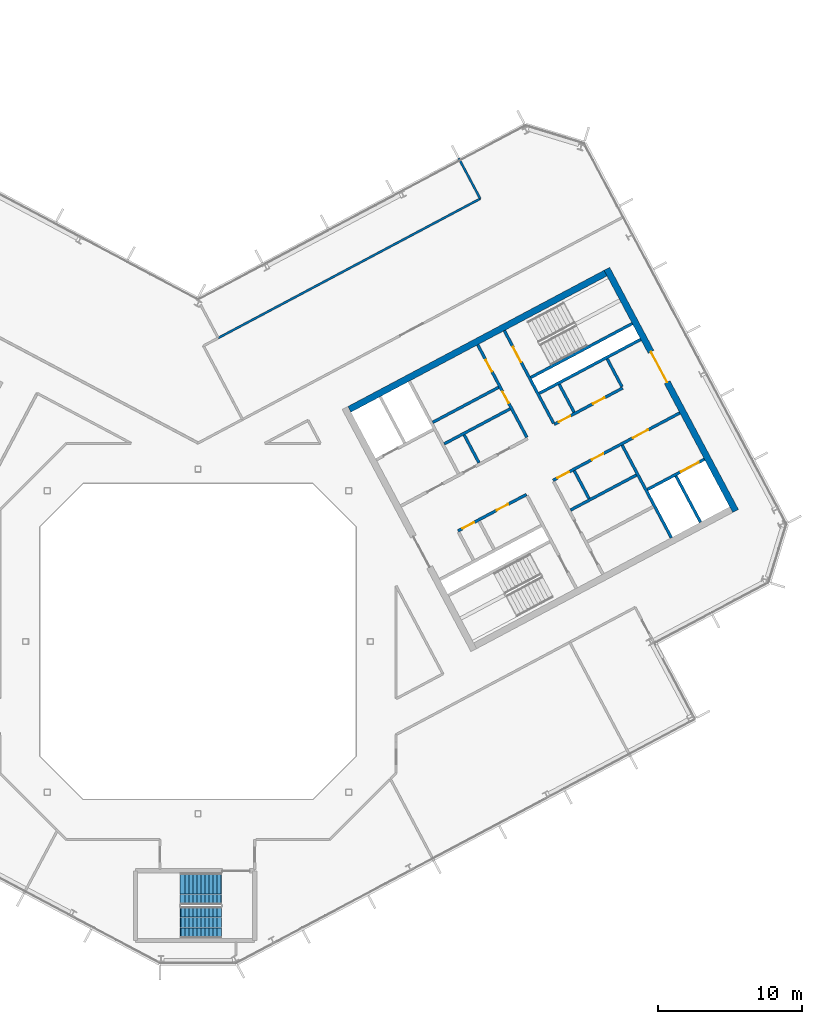
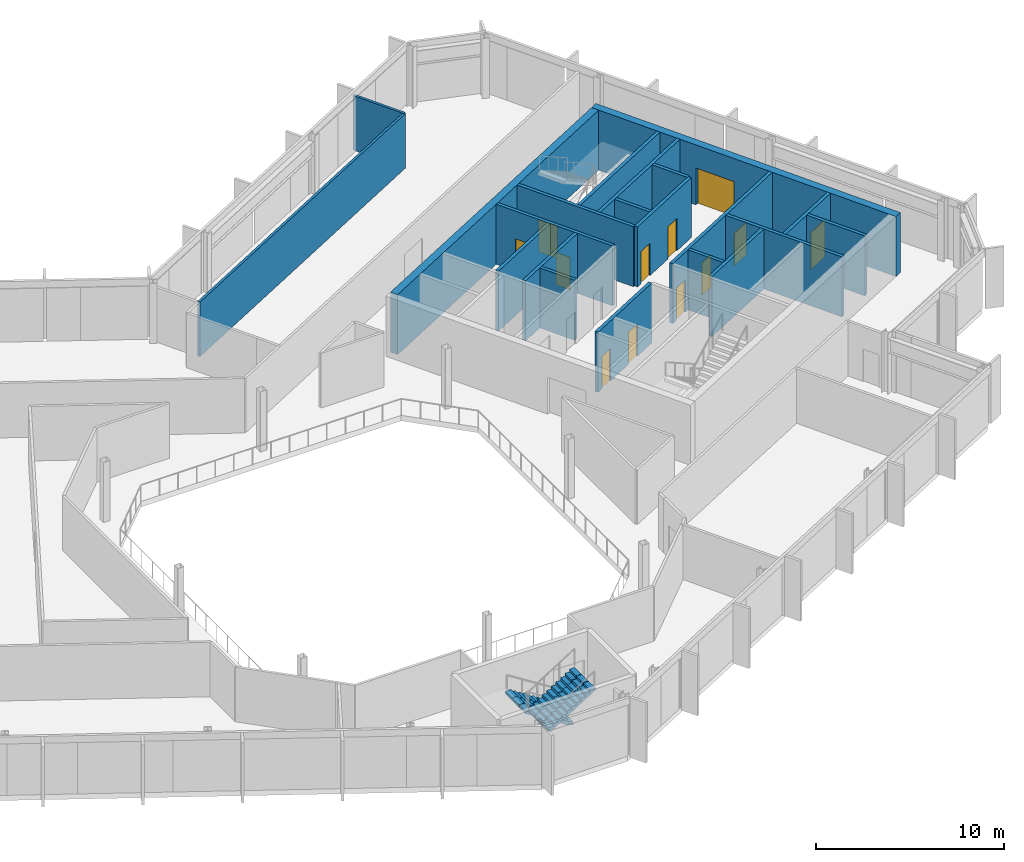
# One storey, part 16 of 25: 21 walls, 12 doors, 2 stair flights, 12 openings, 1 element without a shape of its own.
"""IFC4 building model written with IfcOpenShell, lengths in metres."""

import ifcopenshell
import ifcopenshell.guid

model = None  # the IFC model being written
_history = None  # IfcOwnerHistory: only IFC2X3 demands one
_inside = {}  # id of a spatial element -> (the spatial element, [elements in it])
_under = {}  # id of a project, library or spatial element -> (it, [spatial elements below it])
_declared = {}  # id of a project -> (the project, [libraries it declares])
_typed = {}  # id of a type object -> (the type object, [elements of that type])
_made_of = {}  # id of a material, layer set ... -> (it, [elements and type objects made of it])


def new_model(schema):
    """Start an empty IFC model of exactly this schema.

    Asked for "IFC4X3", IfcOpenShell would pick the latest addendum, in which some entities
    have other attributes; the version numbers below select the first issue.
    IFC2X3 requires an IfcOwnerHistory on every rooted entity: one is made here for all.
    """
    global model, _history
    if schema == "IFC4X3":
        model = ifcopenshell.file(schema_version=(4, 3, 0, 0))
    else:
        model = ifcopenshell.file(schema=schema)
    _inside.clear()
    _under.clear()
    _declared.clear()
    _typed.clear()
    _made_of.clear()
    _history = None
    if model.schema == "IFC2X3":
        org = make("IfcOrganization", Name="unknown")
        user = make(
            "IfcPersonAndOrganization",
            ThePerson=make("IfcPerson", FamilyName="unknown"),
            TheOrganization=org,
        )
        app = make(
            "IfcApplication",
            ApplicationDeveloper=org,
            Version="unknown",
            ApplicationFullName="unknown",
            ApplicationIdentifier="unknown",
        )
        _history = make(
            "IfcOwnerHistory",
            OwningUser=user,
            OwningApplication=app,
            ChangeAction="ADDED",
            CreationDate=0,
        )
    return model


def make(cls, **values):
    """One entity of the class cls with the attributes given. An attribute that is None is left unset."""
    return model.create_entity(
        cls, **{name: value for name, value in values.items() if value is not None}
    )


def rooted(cls, **values):
    """An entity with a GlobalId (a new one), such as an element, a storey or a relation."""
    return make(cls, GlobalId=ifcopenshell.guid.new(), OwnerHistory=_history, **values)


def si_unit(unit_type, name, prefix=None):
    """IfcSIUnit, for example si_unit("LENGTHUNIT", "METRE", prefix="MILLI")."""
    return make("IfcSIUnit", UnitType=unit_type, Prefix=prefix, Name=name)


def assignment(units):
    """IfcUnitAssignment: the units of a project."""
    return None if units is None else make("IfcUnitAssignment", Units=units)


def point(xyz):
    """IfcCartesianPoint."""
    return None if xyz is None else make("IfcCartesianPoint", Coordinates=xyz)


def direction(xyz):
    """IfcDirection."""
    return None if xyz is None else make("IfcDirection", DirectionRatios=xyz)


def frame(location, z_axis=None, x_axis=None):
    """IfcAxis2Placement3D, a coordinate frame: its origin and axes. An axis left out is left unset."""
    return make(
        "IfcAxis2Placement3D",
        Location=point(location),
        Axis=direction(z_axis),
        RefDirection=direction(x_axis),
    )


def frame_2d(location, x_axis=None):
    """IfcAxis2Placement2D, a coordinate frame in the plane: its origin and x axis."""
    return make(
        "IfcAxis2Placement2D", Location=point(location), RefDirection=direction(x_axis)
    )


def origin():
    """The frame at (0, 0, 0) with its axes left unset."""
    return frame((0.0, 0.0, 0.0))


def place(relative_to, where):
    """IfcLocalPlacement: puts the frame where relative to a parent placement (None: the world)."""
    return make(
        "IfcLocalPlacement", PlacementRelTo=relative_to, RelativePlacement=where
    )


def context(
    kind, dimensions, precision=None, world=None, true_north=None, identifier=None
):
    """IfcGeometricRepresentationContext, for example the 3D "Model" context."""
    return make(
        "IfcGeometricRepresentationContext",
        ContextIdentifier=identifier,
        ContextType=kind,
        CoordinateSpaceDimension=dimensions,
        Precision=precision,
        WorldCoordinateSystem=world,
        TrueNorth=true_north,
    )


def subcontext(parent, identifier, kind, view, scale=None):
    """IfcGeometricRepresentationSubContext, for example "Body" below "Model"."""
    return make(
        "IfcGeometricRepresentationSubContext",
        ContextIdentifier=identifier,
        ContextType=kind,
        ParentContext=parent,
        TargetScale=scale,
        TargetView=view,
    )


def project(units=None, contexts=None):
    """IfcProject with its units and contexts."""
    return rooted(
        "IfcProject",
        Name="project",
        RepresentationContexts=contexts,
        UnitsInContext=assignment(units),
    )


def spatial(cls, under=None, at=None, **own):
    """A site, building, storey or space (cls), placed at a placement, below another one or the project."""
    s = rooted(cls, ObjectPlacement=at, **own)
    if under is not None:
        _under.setdefault(under.id(), (under, []))[1].append(s)
    return s


def polyline(points):
    """IfcPolyline through the points."""
    return make("IfcPolyline", Points=[point(p) for p in points])


def profile(cls, at=None, kind="AREA", **sizes):
    """A parametric profile (cls). Its sizes go by their IFC names, for example OverallWidth=200.0."""
    return make(cls, ProfileType=kind, Position=at, **sizes)


def rectangle(**sizes):
    """IfcRectangleProfileDef."""
    return profile("IfcRectangleProfileDef", **sizes)


def outline(outer, holes=None, kind="AREA"):
    """IfcArbitraryClosedProfileDef: a profile drawn as a closed curve; with holes, ...WithVoids."""
    if holes is None:
        return make("IfcArbitraryClosedProfileDef", ProfileType=kind, OuterCurve=outer)
    return make(
        "IfcArbitraryProfileDefWithVoids",
        ProfileType=kind,
        OuterCurve=outer,
        InnerCurves=holes,
    )


def extrude(swept, where, along, depth):
    """IfcExtrudedAreaSolid: the profile swept, set in the frame where, extruded along a direction by depth."""
    return make(
        "IfcExtrudedAreaSolid",
        SweptArea=swept,
        Position=where,
        ExtrudedDirection=direction(along),
        Depth=depth,
    )


def shape(context_of_items, identifier, shape_type, items):
    """IfcShapeRepresentation: the items that make up one representation, for example the "Body"."""
    return make(
        "IfcShapeRepresentation",
        ContextOfItems=context_of_items,
        RepresentationIdentifier=identifier,
        RepresentationType=shape_type,
        Items=items,
    )


def material(Name=None, Category=None):
    """IfcMaterial."""
    return make("IfcMaterial", Name=Name, Category=Category)


def layer(
    of_material, thickness, ventilated=None, Name=None, Category=None, Priority=None
):
    """IfcMaterialLayer: one layer of a wall or slab, of a material (None: an air gap)."""
    return make(
        "IfcMaterialLayer",
        Material=of_material,
        LayerThickness=thickness,
        IsVentilated=ventilated,
        Name=Name,
        Category=Category,
        Priority=Priority,
    )


def layer_set(layers, Name=None):
    """IfcMaterialLayerSet."""
    return make("IfcMaterialLayerSet", MaterialLayers=layers, LayerSetName=Name)


def made_of(thing, what):
    """Note that an element or type object is made of a material, layer set ...; save() writes the relation."""
    if what is not None:
        _made_of.setdefault(what.id(), (what, []))[1].append(thing)
    return thing


def type_object(cls, material=None, **own):
    """A type object (cls), such as IfcWallType, which elements share."""
    return made_of(rooted(cls, **own), material)


def element(
    cls,
    number,
    at=None,
    inside=None,
    cuts=None,
    type_object=None,
    material=None,
    context=None,
    identifier="Body",
    shape_type=None,
    held_by="IfcProductDefinitionShape",
    body=None,
    shapes=None,
    **own,
):
    """One element of the class cls, such as IfcWall. Its Tag is "e" and its number.

    at: its placement. inside: the storey or other place that contains it. cuts: it is an
    opening in that element (IfcRelVoidsElement). A single representation is given by context,
    identifier, shape_type and body (its items); several are given by shapes. held_by: the class
    of the entity that holds the representations. save() writes the other relations.
    """
    e = rooted(cls, Tag="e%d" % number, ObjectPlacement=at, **own)
    if body is not None:
        shapes = [shape(context, identifier, shape_type, body)]
    if shapes is not None:
        e.Representation = make(held_by, Representations=shapes)
    if inside is not None:
        _inside.setdefault(inside.id(), (inside, []))[1].append(e)
    if cuts is not None:
        rooted(
            "IfcRelVoidsElement", RelatingBuildingElement=cuts, RelatedOpeningElement=e
        )
    if type_object is not None:
        _typed.setdefault(type_object.id(), (type_object, []))[1].append(e)
    return made_of(e, material)


def fill(opening, filler):
    """IfcRelFillsElement: the door or window that sits in an opening."""
    return rooted(
        "IfcRelFillsElement",
        RelatingOpeningElement=opening,
        RelatedBuildingElement=filler,
    )


def aggregate(whole, parts):
    """IfcRelAggregates: a whole, such as a stair, and the parts it consists of."""
    return rooted("IfcRelAggregates", RelatingObject=whole, RelatedObjects=parts)


def save(model, path):
    """Write the relations noted so far, then the file.

    IfcRelAggregates (storeys below a building ...), IfcRelContainedInSpatialStructure (elements
    in a storey), IfcRelDefinesByType, IfcRelAssociatesMaterial and IfcRelDeclares: one each for
    every whole, place, type object, material and project.
    """
    for whole, parts in _under.values():
        aggregate(whole, parts)
    for where, things in _inside.values():
        rooted(
            "IfcRelContainedInSpatialStructure",
            RelatedElements=things,
            RelatingStructure=where,
        )
    for kind, things in _typed.values():
        rooted("IfcRelDefinesByType", RelatedObjects=things, RelatingType=kind)
    for what, things in _made_of.values():
        rooted("IfcRelAssociatesMaterial", RelatedObjects=things, RelatingMaterial=what)
    for by, libraries in _declared.values():
        rooted("IfcRelDeclares", RelatingContext=by, RelatedDefinitions=libraries)
    model.write(path)


model = new_model("IFC4")

# Units and contexts
model_context = context("Model", 3, precision=1e-05, world=origin(), true_north=direction((0.0, 1.0)))
body_context = subcontext(model_context, "Body", "Model", "MODEL_VIEW")
ifc_project = project(units=[si_unit("LENGTHUNIT", "METRE"), si_unit("AREAUNIT", "SQUARE_METRE"), si_unit("VOLUMEUNIT", "CUBIC_METRE"), si_unit("PLANEANGLEUNIT", "RADIAN"), si_unit("MASSUNIT", "GRAM", prefix="KILO")], contexts=[model_context])

# Site, building, storey
site_placement = place(None, origin())
site = spatial("IfcSite", under=ifc_project, at=site_placement, CompositionType="ELEMENT")
building_placement = place(site_placement, origin())
building = spatial("IfcBuilding", under=site, at=building_placement, Name="Cormorant Relay Tower", CompositionType="ELEMENT")
storey_placement = place(building_placement, frame((0.0, 0.0, 281.39990234375)))
storey = spatial("IfcBuildingStorey", under=building, at=storey_placement, Name="L63", CompositionType="ELEMENT", Elevation=281.39990234375)

# Walls
ifc_material_1 = material(Name="Concrete 40 MPa", Category="concrete")
ifc_layer_1 = layer(ifc_material_1, 0.199951171875)
ifc_layer_set_1 = layer_set([ifc_layer_1], Name="Core internal wall 200")
wall_type_1 = type_object("IfcWallType", Name="Core internal wall 200", PredefinedType="SOLIDWALL", material=ifc_layer_set_1)
for number, where, z_axis, x_axis, name in (
    (1, (19.568603515625, 12.443603515625, 0.0), (0.0, 0.0, 1.0), (-0.4694473164, 0.882960484464, 0.0), "L63 core B shaft and room wall"),
    (2, (27.236083984375, 9.951416015625, 0.0), (0.0, 0.0, 1.0), (-0.4694473164, 0.882960484464, 0.0), "L63 core B shaft and room wall"),
    (3, (26.19091796875, 15.964599609375, 0.0), (0.0, 0.0, 1.0), (-0.469533832133, 0.882914480843, 0.0), "L63 core B shaft and room wall"),
):
    element("IfcWall", number, at=place(storey_placement, frame(where, z_axis=z_axis, x_axis=x_axis)), inside=storey, type_object=wall_type_1, Name=name, PredefinedType="SOLIDWALL", context=body_context, shape_type="SweptSolid", body=[
        extrude(rectangle(XDim=2.199951171875, YDim=0.199951171875, at=frame_2d((1.10009765625, 0.0))), origin(), (0.0, 0.0, 1.0), 3.900146484375),
    ])
wall_1_placement = place(storey_placement, frame((16.3486328125, 15.26171875, 0.0), z_axis=(0.0, 0.0, 1.0), x_axis=(0.882953967957, 0.469459572775, 0.0)))
element("IfcWall", 4, at=wall_1_placement, inside=storey, type_object=wall_type_1, Name="L63 core B shaft and room wall", PredefinedType="SOLIDWALL", context=body_context, shape_type="SweptSolid", body=[
    extrude(rectangle(XDim=5.199951171875, YDim=0.199951171875, at=frame_2d((2.60009765625, 0.0))), origin(), (0.0, 0.0, 1.0), 3.900146484375),
])

# Wall, openings, doors
ifc_material_2 = material(Name="Concrete 50 MPa", Category="concrete")
ifc_layer_2 = layer(ifc_material_2, 0.199951171875)
ifc_layer_set_2 = layer_set([ifc_layer_2], Name="Core shaft wall 200")
wall_type_2 = type_object("IfcWallType", Name="Core shaft wall 200", PredefinedType="SHEAR", material=ifc_layer_set_2)
wall_2_placement = place(storey_placement, frame((22.90625, 14.218017578125, 0.0), z_axis=(0.0, 0.0, 1.0), x_axis=(-0.469480409012, 0.88294288918, 0.0)))
wall_2 = element("IfcWall", 5, at=wall_2_placement, inside=storey, type_object=wall_type_2, Name="L63 core B shaft wall", PredefinedType="SHEAR", context=body_context, shape_type="SweptSolid", body=[
    extrude(rectangle(XDim=7.300048828125, YDim=0.199951171875, at=frame_2d((3.64990234375, 0.0))), origin(), (0.0, 0.0, 1.0), 3.900146484375),
])
opening_1_placement = place(wall_2_placement, frame((2.699951171875, 0.0, 0.0)))
opening_1 = element("IfcOpeningElement", 6, at=opening_1_placement, cuts=wall_2, Name="Opening CDD-326", PredefinedType="OPENING", context=body_context, shape_type="SweptSolid", body=[
    extrude(rectangle(XDim=0.89990234375, YDim=2.10009765625, at=frame_2d((0.449951171875, 1.050048828125))), frame((0.0, 0.10986328125, 0.0), z_axis=(0.0, -1.0, 0.0), x_axis=(1.0, 0.0, 0.0)), (0.0, 0.0, 1.0), 0.219970703125),
])
opening_2_placement = place(wall_2_placement, frame((5.199951171875, 0.0, 0.0)))
opening_2 = element("IfcOpeningElement", 7, at=opening_2_placement, cuts=wall_2, Name="Opening CDD-327", PredefinedType="OPENING", context=body_context, shape_type="SweptSolid", body=[
    extrude(rectangle(XDim=0.89990234375, YDim=2.10009765625, at=frame_2d((0.449951171875, 1.050048828125))), frame((0.0, 0.10986328125, 0.0), z_axis=(0.0, -1.0, 0.0), x_axis=(1.0, 0.0, 0.0)), (0.0, 0.0, 1.0), 0.219970703125),
])
ifc_material_3 = material(Name="Steel fire door", Category="steel")
door_type_1 = type_object("IfcDoorType", Name="Core room door 900x2100", OperationType="SINGLE_SWING_LEFT", PredefinedType="DOOR", material=ifc_material_3)
door_1_placement = place(opening_1_placement, frame((0.89990234375, 0.0, 0.0), z_axis=(0.0, 0.0, 1.0), x_axis=(-1.0, 0.0, 0.0)))
door_1 = element("IfcDoor", 8, at=door_1_placement, inside=storey, type_object=door_type_1, Name="Core room door 900x2100", OperationType="SINGLE_SWING_LEFT", OverallHeight=2.10009765625, OverallWidth=0.89990234375, PredefinedType="DOOR", context=body_context, shape_type="SweptSolid", body=[
    extrude(rectangle(XDim=0.89990234375, YDim=2.10009765625, at=frame_2d((0.449951171875, 1.050048828125))), frame((0.0, 0.02490234375, 0.0), z_axis=(0.0, -1.0, 0.0), x_axis=(1.0, 0.0, 0.0)), (0.0, 0.0, 1.0), 0.050048828125),
])
fill(opening_1, door_1)
door_2_placement = place(opening_2_placement, frame((0.89990234375, 0.0, 0.0), z_axis=(0.0, 0.0, 1.0), x_axis=(-1.0, 0.0, 0.0)))
door_2 = element("IfcDoor", 9, at=door_2_placement, inside=storey, type_object=door_type_1, Name="Core room door 900x2100", OperationType="SINGLE_SWING_LEFT", OverallHeight=2.10009765625, OverallWidth=0.89990234375, PredefinedType="DOOR", context=body_context, shape_type="SweptSolid", body=[
    extrude(rectangle(XDim=0.89990234375, YDim=2.10009765625, at=frame_2d((0.449951171875, 1.050048828125))), frame((0.0, 0.02490234375, 0.0), z_axis=(0.0, -1.0, 0.0), x_axis=(1.0, 0.0, 0.0)), (0.0, 0.0, 1.0), 0.050048828125),
])
fill(opening_2, door_2)

# Wall, opening, door
wall_3_placement = place(storey_placement, frame((24.760498046875, 15.2041015625, 0.0), z_axis=(0.0, 0.0, 1.0), x_axis=(-0.469494272526, 0.882935517501, 0.0)))
wall_3 = element("IfcWall", 10, at=wall_3_placement, inside=storey, type_object=wall_type_2, Name="L63 core B shaft wall", PredefinedType="SHEAR", context=body_context, shape_type="SweptSolid", body=[
    extrude(rectangle(XDim=7.2998046875, YDim=0.199951171875, at=frame_2d((3.64990234375, 0.0))), origin(), (0.0, 0.0, 1.0), 3.900146484375),
])
opening_3_placement = place(wall_3_placement, frame((4.800048828125, 0.0, 0.0)))
opening_3 = element("IfcOpeningElement", 11, at=opening_3_placement, cuts=wall_3, Name="Opening CDB-041", PredefinedType="OPENING", context=body_context, shape_type="SweptSolid", body=[
    extrude(rectangle(XDim=1.199951171875, YDim=2.10009765625, at=frame_2d((0.60009765625, 1.050048828125))), frame((0.0, 0.10986328125, 0.0), z_axis=(0.0, -1.0, 0.0), x_axis=(1.0, 0.0, 0.0)), (0.0, 0.0, 1.0), 0.219970703125),
])
ifc_material_4 = material(Name="Steel fire door", Category="steel")
door_type_2 = type_object("IfcDoorType", Name="Core stair door 1200x2100", OperationType="SINGLE_SWING_LEFT", PredefinedType="DOOR", material=ifc_material_4)
door_3_placement = place(opening_3_placement, frame((1.199951171875, 0.0, 0.0), z_axis=(0.0, 0.0, 1.0), x_axis=(-1.0, 0.0, 0.0)))
door_3 = element("IfcDoor", 12, at=door_3_placement, inside=storey, type_object=door_type_2, Name="Core stair door 1200x2100", OperationType="SINGLE_SWING_RIGHT", OverallHeight=2.10009765625, OverallWidth=1.199951171875, PredefinedType="DOOR", context=body_context, shape_type="SweptSolid", body=[
    extrude(rectangle(XDim=1.199951171875, YDim=2.10009765625, at=frame_2d((0.60009765625, 1.050048828125))), frame((0.0, 0.02490234375, 0.0), z_axis=(0.0, -1.0, 0.0), x_axis=(1.0, 0.0, 0.0)), (0.0, 0.0, 1.0), 0.050048828125),
])
fill(opening_3, door_3)

# Walls
wall_4_placement = place(storey_placement, frame((32.968017578125, 7.222900390625, 0.0), z_axis=(0.0, 0.0, 1.0), x_axis=(-0.469480409012, 0.88294288918, 0.0)))
element("IfcWall", 13, at=wall_4_placement, inside=storey, type_object=wall_type_2, Name="L63 core B shaft wall", PredefinedType="SHEAR", context=body_context, shape_type="SweptSolid", body=[
    extrude(rectangle(XDim=7.300048828125, YDim=0.199951171875, at=frame_2d((3.64990234375, 0.0))), origin(), (0.0, 0.0, 1.0), 3.900146484375),
])
wall_5_placement = place(storey_placement, frame((29.5283203125, 17.739013671875, 0.0), z_axis=(0.0, 0.0, 1.0), x_axis=(-0.469401318492, 0.882984938828, 0.0)))
element("IfcWall", 14, at=wall_5_placement, inside=storey, type_object=wall_type_2, Name="L63 core B shaft wall", PredefinedType="SHEAR", context=body_context, shape_type="SweptSolid", body=[
    extrude(rectangle(XDim=2.199951171875, YDim=0.199951171875, at=frame_2d((1.10009765625, 0.0))), origin(), (0.0, 0.0, 1.0), 3.900146484375),
])
wall_6_placement = place(storey_placement, frame((34.998779296875, 8.302734375, 0.0), z_axis=(0.0, 0.0, 1.0), x_axis=(-0.4694665462, 0.882950260207, 0.0)))
element("IfcWall", 15, at=wall_6_placement, inside=storey, type_object=wall_type_2, Name="L63 core B shaft wall", PredefinedType="SHEAR", context=body_context, shape_type="SweptSolid", body=[
    extrude(rectangle(XDim=3.650146484375, YDim=0.199951171875, at=frame_2d((1.8251953125, 0.0))), origin(), (0.0, 0.0, 1.0), 3.900146484375),
])

# Wall, opening, door
wall_7_placement = place(storey_placement, frame((31.295654296875, 10.5810546875, 0.0), z_axis=(0.0, 0.0, 1.0), x_axis=(0.882960433586, 0.469447412093, 0.0)))
wall_7 = element("IfcWall", 16, at=wall_7_placement, inside=storey, type_object=wall_type_2, Name="L63 core B shaft wall", PredefinedType="SHEAR", context=body_context, shape_type="SweptSolid", body=[
    extrude(rectangle(XDim=4.5, YDim=0.199951171875, at=frame_2d((2.25, 0.0))), origin(), (0.0, 0.0, 1.0), 3.900146484375),
])
opening_4_placement = place(wall_7_placement, frame((2.64990234375, 0.0, 0.0)))
opening_4 = element("IfcOpeningElement", 17, at=opening_4_placement, cuts=wall_7, Name="Opening LD3-016", PredefinedType="OPENING", context=body_context, shape_type="SweptSolid", body=[
    extrude(rectangle(XDim=1.39990234375, YDim=2.39990234375, at=frame_2d((0.699951171875, 1.199951171875))), frame((0.0, 0.10986328125, 0.0), z_axis=(0.0, -1.0, 0.0), x_axis=(1.0, 0.0, 0.0)), (0.0, 0.0, 1.0), 0.219970703125),
])
ifc_material_5 = material(Name="Stainless steel 316", Category="steel")
door_type_3 = type_object("IfcDoorType", Name="Lift landing door 1400x2400", OperationType="DOUBLE_DOOR_SLIDING", PredefinedType="DOOR", material=ifc_material_5)
door_4_placement = place(opening_4_placement, origin())
door_4 = element("IfcDoor", 18, at=door_4_placement, inside=storey, type_object=door_type_3, Name="SV2 landing door", OperationType="DOUBLE_DOOR_SLIDING", OverallHeight=2.39990234375, OverallWidth=1.39990234375, PredefinedType="DOOR", context=body_context, shape_type="SweptSolid", body=[
    extrude(rectangle(XDim=1.39990234375, YDim=2.39990234375, at=frame_2d((0.699951171875, 1.199951171875))), frame((0.0, 0.02490234375, 0.0), z_axis=(0.0, -1.0, 0.0), x_axis=(1.0, 0.0, 0.0)), (0.0, 0.0, 1.0), 0.050048828125),
])
fill(opening_4, door_4)

# Wall
wall_8_placement = place(storey_placement, frame((25.94091796875, 9.149658203125, 0.0), z_axis=(0.0, 0.0, 1.0), x_axis=(0.882953967957, 0.469459572775, 0.0)))
element("IfcWall", 19, at=wall_8_placement, inside=storey, type_object=wall_type_2, Name="L63 core B shaft wall", PredefinedType="SHEAR", context=body_context, shape_type="SweptSolid", body=[
    extrude(rectangle(XDim=5.199951171875, YDim=0.199951171875, at=frame_2d((2.60009765625, 0.0))), origin(), (0.0, 0.0, 1.0), 3.900146484375),
])

# Wall, openings, doors
wall_9_placement = place(storey_placement, frame((18.103759765625, 7.70068359375, 0.0), z_axis=(0.0, 0.0, 1.0), x_axis=(0.882952937579, 0.469461510692, 0.0)))
wall_9 = element("IfcWall", 20, at=wall_9_placement, inside=storey, type_object=wall_type_2, Name="L63 core B shaft wall", PredefinedType="SHEAR", context=body_context, shape_type="SweptSolid", body=[
    extrude(rectangle(XDim=5.400146484375, YDim=0.199951171875, at=frame_2d((2.7001953125, 0.0))), origin(), (0.0, 0.0, 1.0), 3.900146484375),
])
opening_5_placement = place(wall_9_placement, frame((0.360107421875, 0.0, 0.0)))
opening_5 = element("IfcOpeningElement", 21, at=opening_5_placement, cuts=wall_9, Name="Opening CDD-245", PredefinedType="OPENING", context=body_context, shape_type="SweptSolid", body=[
    extrude(rectangle(XDim=0.89990234375, YDim=2.10009765625, at=frame_2d((0.449951171875, 1.050048828125))), frame((0.0, 0.10986328125, 0.0), z_axis=(0.0, -1.0, 0.0), x_axis=(1.0, 0.0, 0.0)), (0.0, 0.0, 1.0), 0.219970703125),
])
opening_6_placement = place(wall_9_placement, frame((3.06005859375, 0.0, 0.0)))
opening_6 = element("IfcOpeningElement", 22, at=opening_6_placement, cuts=wall_9, Name="Opening CDD-246", PredefinedType="OPENING", context=body_context, shape_type="SweptSolid", body=[
    extrude(rectangle(XDim=0.89990234375, YDim=2.10009765625, at=frame_2d((0.449951171875, 1.050048828125))), frame((0.0, 0.10986328125, 0.0), z_axis=(0.0, -1.0, 0.0), x_axis=(1.0, 0.0, 0.0)), (0.0, 0.0, 1.0), 0.219970703125),
])
door_5_placement = place(opening_5_placement, frame((0.89990234375, 0.0, 0.0), z_axis=(0.0, 0.0, 1.0), x_axis=(-1.0, 0.0, 0.0)))
door_5 = element("IfcDoor", 23, at=door_5_placement, inside=storey, type_object=door_type_1, Name="Core room door 900x2100", OperationType="SINGLE_SWING_RIGHT", OverallHeight=2.10009765625, OverallWidth=0.89990234375, PredefinedType="DOOR", context=body_context, shape_type="SweptSolid", body=[
    extrude(rectangle(XDim=0.89990234375, YDim=2.10009765625, at=frame_2d((0.449951171875, 1.050048828125))), frame((0.0, 0.02490234375, 0.0), z_axis=(0.0, -1.0, 0.0), x_axis=(1.0, 0.0, 0.0)), (0.0, 0.0, 1.0), 0.050048828125),
])
fill(opening_5, door_5)
door_6_placement = place(opening_6_placement, frame((0.89990234375, 0.0, 0.0), z_axis=(0.0, 0.0, 1.0), x_axis=(-1.0, 0.0, 0.0)))
door_6 = element("IfcDoor", 24, at=door_6_placement, inside=storey, type_object=door_type_1, Name="Core room door 900x2100", OperationType="SINGLE_SWING_RIGHT", OverallHeight=2.10009765625, OverallWidth=0.89990234375, PredefinedType="DOOR", context=body_context, shape_type="SweptSolid", body=[
    extrude(rectangle(XDim=0.89990234375, YDim=2.10009765625, at=frame_2d((0.449951171875, 1.050048828125))), frame((0.0, 0.02490234375, 0.0), z_axis=(0.0, -1.0, 0.0), x_axis=(1.0, 0.0, 0.0)), (0.0, 0.0, 1.0), 0.050048828125),
])
fill(opening_6, door_6)

wall_10_placement = place(storey_placement, frame((24.72607421875, 11.2216796875, 0.0), z_axis=(0.0, 0.0, 1.0), x_axis=(0.882940221191, 0.469485426614, 0.0)))
wall_10 = element("IfcWall", 25, at=wall_10_placement, inside=storey, type_object=wall_type_2, Name="L63 core B shaft wall", PredefinedType="SHEAR", context=body_context, shape_type="SweptSolid", body=[
    extrude(rectangle(XDim=10.0, YDim=0.199951171875, at=frame_2d((5.0, 0.0))), origin(), (0.0, 0.0, 1.0), 3.900146484375),
])
opening_7_placement = place(wall_10_placement, frame((6.300048828125, 0.0, 0.0)))
opening_7 = element("IfcOpeningElement", 26, at=opening_7_placement, cuts=wall_10, Name="Opening CDC-038", PredefinedType="OPENING", context=body_context, shape_type="SweptSolid", body=[
    extrude(rectangle(XDim=1.199951171875, YDim=2.10009765625, at=frame_2d((0.60009765625, 1.050048828125))), frame((0.0, 0.10986328125, 0.0), z_axis=(0.0, -1.0, 0.0), x_axis=(1.0, 0.0, 0.0)), (0.0, 0.0, 1.0), 0.219970703125),
])
opening_8_placement = place(wall_10_placement, frame((0.360107421875, 0.0, 0.0)))
opening_8 = element("IfcOpeningElement", 27, at=opening_8_placement, cuts=wall_10, Name="Opening CDD-247", PredefinedType="OPENING", context=body_context, shape_type="SweptSolid", body=[
    extrude(rectangle(XDim=0.89990234375, YDim=2.10009765625, at=frame_2d((0.449951171875, 1.050048828125))), frame((0.0, 0.10986328125, 0.0), z_axis=(0.0, -1.0, 0.0), x_axis=(1.0, 0.0, 0.0)), (0.0, 0.0, 1.0), 0.219970703125),
])
opening_9_placement = place(wall_10_placement, frame((3.06005859375, 0.0, 0.0)))
opening_9 = element("IfcOpeningElement", 28, at=opening_9_placement, cuts=wall_10, Name="Opening CDD-248", PredefinedType="OPENING", context=body_context, shape_type="SweptSolid", body=[
    extrude(rectangle(XDim=0.89990234375, YDim=2.10009765625, at=frame_2d((0.449951171875, 1.050048828125))), frame((0.0, 0.10986328125, 0.0), z_axis=(0.0, -1.0, 0.0), x_axis=(1.0, 0.0, 0.0)), (0.0, 0.0, 1.0), 0.219970703125),
])
ifc_material_6 = material(Name="Steel fire door", Category="steel")
door_type_4 = type_object("IfcDoorType", Name="Core lobby door 1200x2100", OperationType="SINGLE_SWING_LEFT", PredefinedType="DOOR", material=ifc_material_6)
door_7_placement = place(opening_7_placement, origin())
door_7 = element("IfcDoor", 29, at=door_7_placement, inside=storey, type_object=door_type_4, Name="Core lobby door 1200x2100", OperationType="SINGLE_SWING_LEFT", OverallHeight=2.10009765625, OverallWidth=1.199951171875, PredefinedType="DOOR", context=body_context, shape_type="SweptSolid", body=[
    extrude(rectangle(XDim=1.199951171875, YDim=2.10009765625, at=frame_2d((0.60009765625, 1.050048828125))), frame((0.0, 0.02490234375, 0.0), z_axis=(0.0, -1.0, 0.0), x_axis=(1.0, 0.0, 0.0)), (0.0, 0.0, 1.0), 0.050048828125),
])
fill(opening_7, door_7)
door_8_placement = place(opening_8_placement, frame((0.89990234375, 0.0, 0.0), z_axis=(0.0, 0.0, 1.0), x_axis=(-1.0, 0.0, 0.0)))
door_8 = element("IfcDoor", 30, at=door_8_placement, inside=storey, type_object=door_type_1, Name="Core room door 900x2100", OperationType="SINGLE_SWING_RIGHT", OverallHeight=2.10009765625, OverallWidth=0.89990234375, PredefinedType="DOOR", context=body_context, shape_type="SweptSolid", body=[
    extrude(rectangle(XDim=0.89990234375, YDim=2.10009765625, at=frame_2d((0.449951171875, 1.050048828125))), frame((0.0, 0.02490234375, 0.0), z_axis=(0.0, -1.0, 0.0), x_axis=(1.0, 0.0, 0.0)), (0.0, 0.0, 1.0), 0.050048828125),
])
fill(opening_8, door_8)
door_9_placement = place(opening_9_placement, frame((0.89990234375, 0.0, 0.0), z_axis=(0.0, 0.0, 1.0), x_axis=(-1.0, 0.0, 0.0)))
door_9 = element("IfcDoor", 31, at=door_9_placement, inside=storey, type_object=door_type_1, Name="Core room door 900x2100", OperationType="SINGLE_SWING_RIGHT", OverallHeight=2.10009765625, OverallWidth=0.89990234375, PredefinedType="DOOR", context=body_context, shape_type="SweptSolid", body=[
    extrude(rectangle(XDim=0.89990234375, YDim=2.10009765625, at=frame_2d((0.449951171875, 1.050048828125))), frame((0.0, 0.02490234375, 0.0), z_axis=(0.0, -1.0, 0.0), x_axis=(1.0, 0.0, 0.0)), (0.0, 0.0, 1.0), 0.050048828125),
])
fill(opening_9, door_9)

wall_11_placement = place(storey_placement, frame((24.807373046875, 15.11572265625, 0.0), z_axis=(0.0, 0.0, 1.0), x_axis=(0.882942972946, 0.469480251476, 0.0)))
wall_11 = element("IfcWall", 32, at=wall_11_placement, inside=storey, type_object=wall_type_2, Name="L63 core B shaft wall", PredefinedType="SHEAR", context=body_context, shape_type="SweptSolid", body=[
    extrude(rectangle(XDim=5.39990234375, YDim=0.199951171875, at=frame_2d((2.699951171875, 0.0))), origin(), (0.0, 0.0, 1.0), 3.900146484375),
])
opening_10_placement = place(wall_11_placement, frame((0.360107421875, 0.0, 0.0)))
opening_10 = element("IfcOpeningElement", 33, at=opening_10_placement, cuts=wall_11, Name="Opening CDD-273", PredefinedType="OPENING", context=body_context, shape_type="SweptSolid", body=[
    extrude(rectangle(XDim=0.89990234375, YDim=2.10009765625, at=frame_2d((0.449951171875, 1.050048828125))), frame((0.0, 0.10986328125, 0.0), z_axis=(0.0, -1.0, 0.0), x_axis=(1.0, 0.0, 0.0)), (0.0, 0.0, 1.0), 0.219970703125),
])
opening_11_placement = place(wall_11_placement, frame((3.06005859375, 0.0, 0.0)))
opening_11 = element("IfcOpeningElement", 34, at=opening_11_placement, cuts=wall_11, Name="Opening CDD-244", PredefinedType="OPENING", context=body_context, shape_type="SweptSolid", body=[
    extrude(rectangle(XDim=0.89990234375, YDim=2.10009765625, at=frame_2d((0.449951171875, 1.050048828125))), frame((0.0, 0.10986328125, 0.0), z_axis=(0.0, -1.0, 0.0), x_axis=(1.0, 0.0, 0.0)), (0.0, 0.0, 1.0), 0.219970703125),
])
door_10_placement = place(opening_10_placement, frame((0.89990234375, 0.0, 0.0), z_axis=(0.0, 0.0, 1.0), x_axis=(-1.0, 0.0, 0.0)))
door_10 = element("IfcDoor", 35, at=door_10_placement, inside=storey, type_object=door_type_1, Name="Core room door 900x2100", OperationType="SINGLE_SWING_RIGHT", OverallHeight=2.10009765625, OverallWidth=0.89990234375, PredefinedType="DOOR", context=body_context, shape_type="SweptSolid", body=[
    extrude(rectangle(XDim=0.89990234375, YDim=2.10009765625, at=frame_2d((0.449951171875, 1.050048828125))), frame((0.0, 0.02490234375, 0.0), z_axis=(0.0, -1.0, 0.0), x_axis=(1.0, 0.0, 0.0)), (0.0, 0.0, 1.0), 0.050048828125),
])
fill(opening_10, door_10)
door_11_placement = place(opening_11_placement, frame((0.89990234375, 0.0, 0.0), z_axis=(0.0, 0.0, 1.0), x_axis=(-1.0, 0.0, 0.0)))
door_11 = element("IfcDoor", 36, at=door_11_placement, inside=storey, type_object=door_type_1, Name="Core room door 900x2100", OperationType="SINGLE_SWING_RIGHT", OverallHeight=2.10009765625, OverallWidth=0.89990234375, PredefinedType="DOOR", context=body_context, shape_type="SweptSolid", body=[
    extrude(rectangle(XDim=0.89990234375, YDim=2.10009765625, at=frame_2d((0.449951171875, 1.050048828125))), frame((0.0, 0.02490234375, 0.0), z_axis=(0.0, -1.0, 0.0), x_axis=(1.0, 0.0, 0.0)), (0.0, 0.0, 1.0), 0.050048828125),
])
fill(opening_11, door_11)

# Walls
wall_12_placement = place(storey_placement, frame((17.146728515625, 13.7607421875, 0.0), z_axis=(0.0, 0.0, 1.0), x_axis=(0.882964314875, 0.469440111896, 0.0)))
element("IfcWall", 37, at=wall_12_placement, inside=storey, type_object=wall_type_2, Name="L63 core B shaft wall", PredefinedType="SHEAR", context=body_context, shape_type="SweptSolid", body=[
    extrude(rectangle(XDim=5.2001953125, YDim=0.199951171875, at=frame_2d((2.60009765625, 0.0))), origin(), (0.0, 0.0, 1.0), 3.900146484375),
])
wall_13_placement = place(storey_placement, frame((23.76904296875, 17.28173828125, 0.0), z_axis=(0.0, 0.0, 1.0), x_axis=(0.882940221191, 0.469485426614, 0.0)))
element("IfcWall", 38, at=wall_13_placement, inside=storey, type_object=wall_type_2, Name="L63 core B shaft wall", PredefinedType="SHEAR", context=body_context, shape_type="SweptSolid", body=[
    extrude(rectangle(XDim=8.0, YDim=0.199951171875, at=frame_2d((4.0, 0.0))), origin(), (0.0, 0.0, 1.0), 3.900146484375),
])
wall_14_placement = place(storey_placement, frame((23.18212890625, 18.385498046875, 0.0), z_axis=(0.0, 0.0, 1.0), x_axis=(0.88295287151, 0.469461634952, 0.0)))
element("IfcWall", 39, at=wall_14_placement, inside=storey, type_object=wall_type_2, Name="L63 core B shaft wall", PredefinedType="SHEAR", context=body_context, shape_type="SweptSolid", body=[
    extrude(rectangle(XDim=7.999755859375, YDim=0.199951171875, at=frame_2d((4.0, 0.0))), origin(), (0.0, 0.0, 1.0), 3.900146484375),
])

# Wall, opening, door
ifc_material_7 = material(Name="Concrete 50 MPa", Category="concrete")
ifc_layer_3 = layer(ifc_material_7, 0.449951171875)
ifc_layer_set_3 = layer_set([ifc_layer_3], Name="Core wall 450")
wall_type_3 = type_object("IfcWallType", Name="Core wall 450", PredefinedType="SHEAR", material=ifc_layer_set_3)
wall_15_placement = place(storey_placement, frame((37.439453125, 9.0908203125, 0.0), z_axis=(0.0, 0.0, 1.0), x_axis=(-0.469467968382, 0.882949504028, 0.0)))
wall_15 = element("IfcWall", 40, at=wall_15_placement, inside=storey, type_object=wall_type_3, Name="L63 core B wall", PredefinedType="SHEAR", context=body_context, shape_type="SweptSolid", body=[
    extrude(rectangle(XDim=19.099853515625, YDim=0.449951171875, at=frame_2d((9.5498046875, 0.0))), origin(), (0.0, 0.0, 1.0), 3.900146484375),
])
opening_12_placement = place(wall_15_placement, frame((10.14990234375, 0.0, 0.0)))
opening_12 = element("IfcOpeningElement", 41, at=opening_12_placement, cuts=wall_15, Name="Opening CDA-053", PredefinedType="OPENING", context=body_context, shape_type="SweptSolid", body=[
    extrude(rectangle(XDim=2.39990234375, YDim=2.39990234375, at=frame_2d((1.199951171875, 1.199951171875))), frame((0.0, 0.23486328125, 0.0), z_axis=(0.0, -1.0, 0.0), x_axis=(1.0, 0.0, 0.0)), (0.0, 0.0, 1.0), 0.469970703125),
])
ifc_material_8 = material(Name="Steel fire door", Category="steel")
door_type_5 = type_object("IfcDoorType", Name="Core lobby door 2400x2400", OperationType="DOUBLE_DOOR_SINGLE_SWING", PredefinedType="DOOR", material=ifc_material_8)
door_12_placement = place(opening_12_placement, origin())
door_12 = element("IfcDoor", 42, at=door_12_placement, inside=storey, type_object=door_type_5, Name="Core lobby door 2400x2400", OperationType="DOUBLE_DOOR_SINGLE_SWING", OverallHeight=2.39990234375, OverallWidth=2.39990234375, PredefinedType="DOOR", context=body_context, shape_type="SweptSolid", body=[
    extrude(rectangle(XDim=2.39990234375, YDim=2.39990234375, at=frame_2d((1.199951171875, 1.199951171875))), frame((0.0, 0.02490234375, 0.0), z_axis=(0.0, -1.0, 0.0), x_axis=(1.0, 0.0, 0.0)), (0.0, 0.0, 1.0), 0.050048828125),
])
fill(opening_12, door_12)

# Walls
wall_16_placement = place(storey_placement, frame((10.5439453125, 16.16748046875, 0.0), z_axis=(0.0, 0.0, 1.0), x_axis=(0.882947755831, 0.46947125628, 0.0)))
element("IfcWall", 43, at=wall_16_placement, inside=storey, type_object=wall_type_3, Name="L63 core B wall", PredefinedType="SHEAR", context=body_context, shape_type="SweptSolid", body=[
    extrude(rectangle(XDim=20.2001953125, YDim=0.449951171875, at=frame_2d((10.10009765625, 0.0))), origin(), (0.0, 0.0, 1.0), 3.900146484375),
])
ifc_material_9 = material(Name="Gypsum board partition")
ifc_layer_4 = layer(ifc_material_9, 0.14990234375)
ifc_layer_set_4 = layer_set([ifc_layer_4], Name="Tenant partition 150")
wall_type_4 = type_object("IfcWallType", Name="Tenant partition 150", PredefinedType="PARTITIONING", material=ifc_layer_set_4)
wall_17_placement = place(storey_placement, frame((1.405029296875, 21.133056640625, 0.0), z_axis=(0.0, 0.0, 1.0), x_axis=(0.882954791134, 0.469458024549, 0.0)))
element("IfcWall", 44, at=wall_17_placement, inside=storey, type_object=wall_type_4, Name="wall/L63/part/028", PredefinedType="PARTITIONING", context=body_context, shape_type="SweptSolid", body=[
    extrude(rectangle(XDim=20.67041015625, YDim=0.14990234375, at=frame_2d((10.335205078125, 0.0))), origin(), (0.0, 0.0, 1.0), 3.5400390625),
])
wall_18_placement = place(storey_placement, frame((19.656005859375, 30.8369140625, 0.0), z_axis=(0.0, 0.0, 1.0), x_axis=(-0.469289077813, 0.883044597654, 0.0)))
element("IfcWall", 45, at=wall_18_placement, inside=storey, type_object=wall_type_4, Name="wall/L63/part/029", PredefinedType="PARTITIONING", context=body_context, shape_type="SweptSolid", body=[
    extrude(rectangle(XDim=3.200439453125, YDim=0.14990234375, at=frame_2d((1.60009765625, 0.0))), origin(), (0.0, 0.0, 1.0), 3.5400390625),
])

# Stair, stair flights
ifc_material_10 = material(Name="Concrete 40 MPa", Category="concrete")
stair_type = type_object("IfcStairType", Name="Remote exit stair 2200", PredefinedType="HALF_TURN_STAIR", material=ifc_material_10)
stair_placement = place(storey_placement, origin())
stair = element("IfcStair", 46, at=stair_placement, inside=storey, type_object=stair_type, Name="L63 Stair", PredefinedType="HALF_TURN_STAIR")
ifc_material_11 = material(Name="Concrete 40 MPa", Category="concrete")
stair_flight_type = type_object("IfcStairFlightType", Name="Remote exit stair flight 2200", PredefinedType="STRAIGHT", material=ifc_material_11)
stair_flight_1_placement = place(storey_placement, frame((1.60009765625, -17.22509765625, 0.0), z_axis=(0.0, 0.0, 1.0), x_axis=(-1.0, 0.0, 0.0)))
stair_flight_1 = element("IfcStairFlight", 47, at=stair_flight_1_placement, type_object=stair_flight_type, Name="RK1 flight 1", NumberOfRisers=11, NumberOfTreads=10, PredefinedType="STRAIGHT", RiserHeight=0.177272727, TreadLength=0.28, context=body_context, shape_type="SweptSolid", body=[
    extrude(outline(polyline([(-0.050048828125, -0.080078125), (-0.050048828125, 0.0), (0.0, 0.0), (0.0, 0.17724609375), (0.280029296875, 0.17724609375), (0.280029296875, 0.3544921875), (0.56005859375, 0.3544921875), (0.56005859375, 0.53173828125), (0.840087890625, 0.53173828125), (0.840087890625, 0.708984375), (1.1201171875, 0.708984375), (1.1201171875, 0.886474609375), (1.39990234375, 0.886474609375), (1.39990234375, 1.063720703125), (1.679931640625, 1.063720703125), (1.679931640625, 1.240966796875), (1.9599609375, 1.240966796875), (1.9599609375, 1.418212890625), (2.239990234375, 1.418212890625), (2.239990234375, 1.595458984375), (2.52001953125, 1.595458984375), (2.52001953125, 1.772705078125), (2.800048828125, 1.772705078125), (2.85009765625, 1.772705078125), (2.85009765625, 1.59521484375), (2.800048828125, 1.59521484375), (0.2802734375, 0.0), (-0.050048828125, -0.080078125)])), frame((0.0, 1.10009765625, 0.0), z_axis=(0.0, -1.0, 0.0), x_axis=(1.0, 0.0, 0.0)), (0.0, 0.0, 1.0), 0.719970703125),
    extrude(outline(polyline([(-0.050048828125, -0.080078125), (-0.050048828125, 0.0), (0.0, 0.0), (0.0, 0.17724609375), (0.280029296875, 0.17724609375), (0.280029296875, 0.3544921875), (0.56005859375, 0.3544921875), (0.56005859375, 0.53173828125), (0.840087890625, 0.53173828125), (0.840087890625, 0.708984375), (1.1201171875, 0.708984375), (1.1201171875, 0.886474609375), (1.39990234375, 0.886474609375), (1.39990234375, 1.063720703125), (1.679931640625, 1.063720703125), (1.679931640625, 1.240966796875), (1.9599609375, 1.240966796875), (1.9599609375, 1.418212890625), (2.239990234375, 1.418212890625), (2.239990234375, 1.595458984375), (2.52001953125, 1.595458984375), (2.52001953125, 1.772705078125), (2.800048828125, 1.772705078125), (2.85009765625, 1.772705078125), (2.85009765625, 1.59521484375), (2.800048828125, 1.59521484375), (0.2802734375, 0.0), (-0.050048828125, -0.080078125)])), frame((0.0, 0.360107421875, 0.0), z_axis=(0.0, -1.0, 0.0), x_axis=(1.0, 0.0, 0.0)), (0.0, 0.0, 1.0), 0.719970703125),
    extrude(outline(polyline([(-0.050048828125, -0.080078125), (-0.050048828125, 0.0), (0.0, 0.0), (0.0, 0.17724609375), (0.280029296875, 0.17724609375), (0.280029296875, 0.3544921875), (0.56005859375, 0.3544921875), (0.56005859375, 0.53173828125), (0.840087890625, 0.53173828125), (0.840087890625, 0.708984375), (1.1201171875, 0.708984375), (1.1201171875, 0.886474609375), (1.39990234375, 0.886474609375), (1.39990234375, 1.063720703125), (1.679931640625, 1.063720703125), (1.679931640625, 1.240966796875), (1.9599609375, 1.240966796875), (1.9599609375, 1.418212890625), (2.239990234375, 1.418212890625), (2.239990234375, 1.595458984375), (2.52001953125, 1.595458984375), (2.52001953125, 1.772705078125), (2.800048828125, 1.772705078125), (2.85009765625, 1.772705078125), (2.85009765625, 1.59521484375), (2.800048828125, 1.59521484375), (0.2802734375, 0.0), (-0.050048828125, -0.080078125)])), frame((0.0, -0.3798828125, 0.0), z_axis=(0.0, -1.0, 0.0), x_axis=(1.0, 0.0, 0.0)), (0.0, 0.0, 1.0), 0.719970703125),
])
stair_flight_2_placement = place(storey_placement, frame((-1.199951171875, -19.574951171875, 1.9501953125), z_axis=(0.0, 0.0, 1.0), x_axis=(1.0, 0.0, 0.0)))
stair_flight_2 = element("IfcStairFlight", 48, at=stair_flight_2_placement, type_object=stair_flight_type, Name="RK1 flight 2", NumberOfRisers=11, NumberOfTreads=10, PredefinedType="STRAIGHT", RiserHeight=0.177272727, TreadLength=0.28, context=body_context, shape_type="SweptSolid", body=[
    extrude(outline(polyline([(-0.050048828125, -0.080078125), (-0.050048828125, 0.0), (0.0, 0.0), (0.0, 0.17724609375), (0.280029296875, 0.17724609375), (0.280029296875, 0.3544921875), (0.56005859375, 0.3544921875), (0.56005859375, 0.53173828125), (0.840087890625, 0.53173828125), (0.840087890625, 0.708984375), (1.1201171875, 0.708984375), (1.1201171875, 0.886474609375), (1.39990234375, 0.886474609375), (1.39990234375, 1.063720703125), (1.679931640625, 1.063720703125), (1.679931640625, 1.240966796875), (1.9599609375, 1.240966796875), (1.9599609375, 1.418212890625), (2.239990234375, 1.418212890625), (2.239990234375, 1.595458984375), (2.52001953125, 1.595458984375), (2.52001953125, 1.772705078125), (2.800048828125, 1.772705078125), (2.85009765625, 1.772705078125), (2.85009765625, 1.59521484375), (2.800048828125, 1.59521484375), (0.2802734375, 0.0), (-0.050048828125, -0.080078125)])), frame((0.0, 1.10009765625, 0.0), z_axis=(0.0, -1.0, 0.0), x_axis=(1.0, 0.0, 0.0)), (0.0, 0.0, 1.0), 0.719970703125),
    extrude(outline(polyline([(-0.050048828125, -0.080078125), (-0.050048828125, 0.0), (0.0, 0.0), (0.0, 0.17724609375), (0.280029296875, 0.17724609375), (0.280029296875, 0.3544921875), (0.56005859375, 0.3544921875), (0.56005859375, 0.53173828125), (0.840087890625, 0.53173828125), (0.840087890625, 0.708984375), (1.1201171875, 0.708984375), (1.1201171875, 0.886474609375), (1.39990234375, 0.886474609375), (1.39990234375, 1.063720703125), (1.679931640625, 1.063720703125), (1.679931640625, 1.240966796875), (1.9599609375, 1.240966796875), (1.9599609375, 1.418212890625), (2.239990234375, 1.418212890625), (2.239990234375, 1.595458984375), (2.52001953125, 1.595458984375), (2.52001953125, 1.772705078125), (2.800048828125, 1.772705078125), (2.85009765625, 1.772705078125), (2.85009765625, 1.59521484375), (2.800048828125, 1.59521484375), (0.2802734375, 0.0), (-0.050048828125, -0.080078125)])), frame((0.0, 0.360107421875, 0.0), z_axis=(0.0, -1.0, 0.0), x_axis=(1.0, 0.0, 0.0)), (0.0, 0.0, 1.0), 0.719970703125),
    extrude(outline(polyline([(-0.050048828125, -0.080078125), (-0.050048828125, 0.0), (0.0, 0.0), (0.0, 0.17724609375), (0.280029296875, 0.17724609375), (0.280029296875, 0.3544921875), (0.56005859375, 0.3544921875), (0.56005859375, 0.53173828125), (0.840087890625, 0.53173828125), (0.840087890625, 0.708984375), (1.1201171875, 0.708984375), (1.1201171875, 0.886474609375), (1.39990234375, 0.886474609375), (1.39990234375, 1.063720703125), (1.679931640625, 1.063720703125), (1.679931640625, 1.240966796875), (1.9599609375, 1.240966796875), (1.9599609375, 1.418212890625), (2.239990234375, 1.418212890625), (2.239990234375, 1.595458984375), (2.52001953125, 1.595458984375), (2.52001953125, 1.772705078125), (2.800048828125, 1.772705078125), (2.85009765625, 1.772705078125), (2.85009765625, 1.59521484375), (2.800048828125, 1.59521484375), (0.2802734375, 0.0), (-0.050048828125, -0.080078125)])), frame((0.0, -0.3798828125, 0.0), z_axis=(0.0, -1.0, 0.0), x_axis=(1.0, 0.0, 0.0)), (0.0, 0.0, 1.0), 0.719970703125),
])
aggregate(stair, [stair_flight_1, stair_flight_2])

save(model, "model.ifc")
